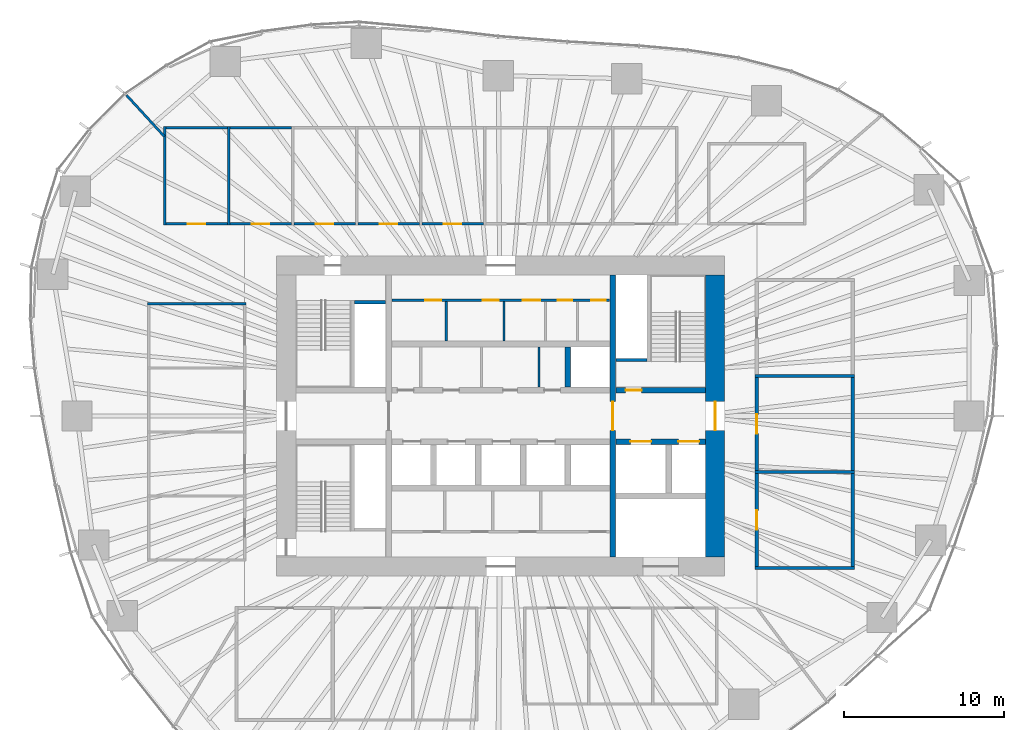
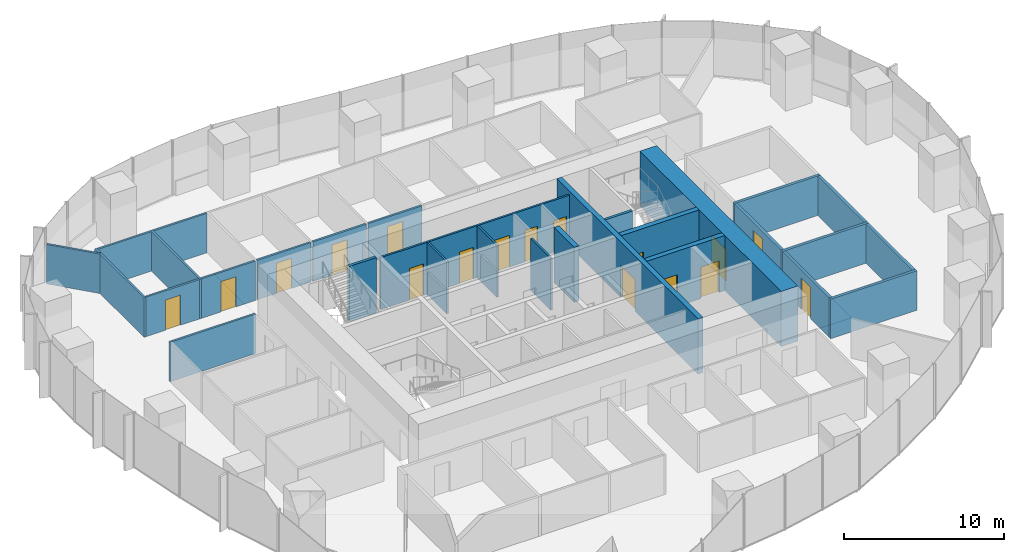
# One storey, part 10 of 20: 29 walls, 17 doors, 17 openings.
"""IFC4 building model written with IfcOpenShell, lengths in metres."""

from ifc_helpers import new_model, si_unit, direction, frame, frame_2d, origin, place, context, subcontext, project, spatial, rectangle, extrude, material, layer, layer_set, type_object, element, fill, save


model = new_model("IFC4")

# Units and contexts
model_context = context("Model", 3, precision=1e-05, world=origin(), true_north=direction((0.0, 1.0)))
body_context = subcontext(model_context, "Body", "Model", "MODEL_VIEW")
ifc_project = project(units=[si_unit("LENGTHUNIT", "METRE"), si_unit("AREAUNIT", "SQUARE_METRE"), si_unit("VOLUMEUNIT", "CUBIC_METRE"), si_unit("PLANEANGLEUNIT", "RADIAN"), si_unit("MASSUNIT", "GRAM", prefix="KILO")], contexts=[model_context])

# Site, building, storey
site_placement = place(None, origin())
site = spatial("IfcSite", under=ifc_project, at=site_placement, CompositionType="ELEMENT")
building_placement = place(site_placement, origin())
building = spatial("IfcBuilding", under=site, at=building_placement, Name="Ghaith Harvest Tower", CompositionType="ELEMENT")
storey_placement = place(building_placement, frame((0.0, 0.0, 109.199951171875)))
storey = spatial("IfcBuildingStorey", under=building, at=storey_placement, Name="L22", CompositionType="ELEMENT", Elevation=109.199951171875)

# Walls
ifc_material_1 = material(Name="Twin-stud gypsum board, acoustic", Category="gypsum")
ifc_layer_1 = layer(ifc_material_1, 0.199951171875)
ifc_layer_set_1 = layer_set([ifc_layer_1], Name="ACOUSTIC PARTITION 200")
wall_type_1 = type_object("IfcWallType", Name="ACOUSTIC PARTITION 200", PredefinedType="PARTITIONING", material=ifc_layer_set_1)
for number, where, z_axis, x_axis, name in (
    (1, (15.89990234375, -9.5, 0.0), (0.0, 0.0, 1.0), (1.0, 0.0, 0.0), "Partition L22 row E3 cross wall 1"),
    (2, (15.89990234375, -3.5, 0.0), (0.0, 0.0, 1.0), (1.0, 0.0, 0.0), "Partition L22 row E3 cross wall 2"),
    (3, (15.89990234375, 2.5, 0.0), (0.0, 0.0, 1.0), (1.0, 0.0, 0.0), "Partition L22 row E3 cross wall 3"),
):
    element("IfcWall", number, at=place(storey_placement, frame(where, z_axis=z_axis, x_axis=x_axis)), inside=storey, type_object=wall_type_1, Name=name, PredefinedType="PARTITIONING", context=body_context, shape_type="SweptSolid", body=[
        extrude(rectangle(XDim=6.2001953125, YDim=0.199951171875, at=frame_2d((3.10009765625, 0.0))), origin(), (0.0, 0.0, 1.0), 3.0),
    ])

# Wall, opening, door
wall_1_placement = place(storey_placement, frame((16.0, -9.39990234375, 0.0), z_axis=(0.0, 0.0, 1.0), x_axis=(0.0, 1.0, 0.0)))
wall_1 = element("IfcWall", 4, at=wall_1_placement, inside=storey, type_object=wall_type_1, Name="Partition L22-10", PredefinedType="PARTITIONING", context=body_context, shape_type="SweptSolid", body=[
    extrude(rectangle(XDim=5.7998046875, YDim=0.199951171875, at=frame_2d((2.89990234375, 0.0))), origin(), (0.0, 0.0, 1.0), 3.0),
])
opening_1_placement = place(wall_1_placement, frame((2.300048828125, 0.0, 0.0)))
opening_1 = element("IfcOpeningElement", 5, at=opening_1_placement, cuts=wall_1, Name="Opening 22-039", PredefinedType="OPENING", context=body_context, shape_type="SweptSolid", body=[
    extrude(rectangle(XDim=1.199951171875, YDim=2.39990234375, at=frame_2d((0.60009765625, 1.199951171875))), frame((0.0, 0.10986328125, 0.0), z_axis=(0.0, -1.0, 0.0), x_axis=(1.0, 0.0, 0.0)), (0.0, 0.0, 1.0), 0.219970703125),
])
ifc_material_2 = material(Name="Timber door", Category="wood")
door_type_1 = type_object("IfcDoorType", Name="D11 GLAZED 1200x2400", OperationType="SINGLE_SWING_LEFT", PredefinedType="DOOR", material=ifc_material_2)
door_1_placement = place(opening_1_placement, origin())
door_1 = element("IfcDoor", 6, at=door_1_placement, inside=storey, type_object=door_type_1, Name="Meeting room door", OperationType="SINGLE_SWING_LEFT", OverallHeight=2.39990234375, OverallWidth=1.199951171875, PredefinedType="DOOR", context=body_context, shape_type="SweptSolid", body=[
    extrude(rectangle(XDim=1.199951171875, YDim=2.39990234375, at=frame_2d((0.60009765625, 1.199951171875))), frame((0.0, 0.02490234375, 0.0), z_axis=(0.0, -1.0, 0.0), x_axis=(1.0, 0.0, 0.0)), (0.0, 0.0, 1.0), 0.050048828125),
])
fill(opening_1, door_1)

# Wall
wall_2_placement = place(storey_placement, frame((22.0, -9.39990234375, 0.0), z_axis=(0.0, 0.0, 1.0), x_axis=(0.0, 1.0, 0.0)))
element("IfcWall", 7, at=wall_2_placement, inside=storey, type_object=wall_type_1, Name="Partition L22-10", PredefinedType="PARTITIONING", context=body_context, shape_type="SweptSolid", body=[
    extrude(rectangle(XDim=5.7998046875, YDim=0.199951171875, at=frame_2d((2.89990234375, 0.0))), origin(), (0.0, 0.0, 1.0), 3.0),
])

# Wall, opening, door
wall_3_placement = place(storey_placement, frame((16.0, -3.39990234375, 0.0), z_axis=(0.0, 0.0, 1.0), x_axis=(0.0, 1.0, 0.0)))
wall_3 = element("IfcWall", 8, at=wall_3_placement, inside=storey, type_object=wall_type_1, Name="Partition L22-11", PredefinedType="PARTITIONING", context=body_context, shape_type="SweptSolid", body=[
    extrude(rectangle(XDim=5.7998046875, YDim=0.199951171875, at=frame_2d((2.89990234375, 0.0))), origin(), (0.0, 0.0, 1.0), 3.0),
])
opening_2_placement = place(wall_3_placement, frame((2.300048828125, 0.0, 0.0)))
opening_2 = element("IfcOpeningElement", 9, at=opening_2_placement, cuts=wall_3, Name="Opening 22-040", PredefinedType="OPENING", context=body_context, shape_type="SweptSolid", body=[
    extrude(rectangle(XDim=1.199951171875, YDim=2.39990234375, at=frame_2d((0.60009765625, 1.199951171875))), frame((0.0, 0.10986328125, 0.0), z_axis=(0.0, -1.0, 0.0), x_axis=(1.0, 0.0, 0.0)), (0.0, 0.0, 1.0), 0.219970703125),
])
door_2_placement = place(opening_2_placement, origin())
door_2 = element("IfcDoor", 10, at=door_2_placement, inside=storey, type_object=door_type_1, Name="Meeting room door", OperationType="SINGLE_SWING_LEFT", OverallHeight=2.39990234375, OverallWidth=1.199951171875, PredefinedType="DOOR", context=body_context, shape_type="SweptSolid", body=[
    extrude(rectangle(XDim=1.199951171875, YDim=2.39990234375, at=frame_2d((0.60009765625, 1.199951171875))), frame((0.0, 0.02490234375, 0.0), z_axis=(0.0, -1.0, 0.0), x_axis=(1.0, 0.0, 0.0)), (0.0, 0.0, 1.0), 0.050048828125),
])
fill(opening_2, door_2)

# Wall
wall_4_placement = place(storey_placement, frame((22.0, -3.39990234375, 0.0), z_axis=(0.0, 0.0, 1.0), x_axis=(0.0, 1.0, 0.0)))
element("IfcWall", 11, at=wall_4_placement, inside=storey, type_object=wall_type_1, Name="Partition L22-11", PredefinedType="PARTITIONING", context=body_context, shape_type="SweptSolid", body=[
    extrude(rectangle(XDim=5.7998046875, YDim=0.199951171875, at=frame_2d((2.89990234375, 0.0))), origin(), (0.0, 0.0, 1.0), 3.0),
])

# Wall, openings, doors
ifc_material_3 = material(Name="Concrete blockwork, fair-faced", Category="masonry")
ifc_layer_2 = layer(ifc_material_3, 0.139892578125)
ifc_layer_set_2 = layer_set([ifc_layer_2], Name="CORE PARTITION 140")
wall_type_2 = type_object("IfcWallType", Name="CORE PARTITION 140", PredefinedType="PARTITIONING", material=ifc_layer_set_2)
wall_5_placement = place(storey_placement, frame((-6.800048828125, 7.22998046875, 0.0), z_axis=(0.0, 0.0, 1.0), x_axis=(1.0, 0.0, 0.0)))
wall_5 = element("IfcWall", 12, at=wall_5_placement, inside=storey, type_object=wall_type_2, Name="Core partition L22", PredefinedType="PARTITIONING", context=body_context, shape_type="SweptSolid", body=[
    extrude(rectangle(XDim=13.60009765625, YDim=0.139892578125, at=frame_2d((6.800048828125, 0.0))), origin(), (0.0, 0.0, 1.0), 3.949951171875),
])
opening_3_placement = place(wall_5_placement, frame((2.080078125, 0.0, 0.0)))
opening_3 = element("IfcOpeningElement", 13, at=opening_3_placement, cuts=wall_5, Name="Opening 22-008", PredefinedType="OPENING", context=body_context, shape_type="SweptSolid", body=[
    extrude(rectangle(XDim=1.0, YDim=2.39990234375, at=frame_2d((0.5, 1.199951171875))), frame((0.0, 0.080078125, 0.0), z_axis=(0.0, -1.0, 0.0), x_axis=(1.0, 0.0, 0.0)), (0.0, 0.0, 1.0), 0.159912109375),
])
opening_4_placement = place(wall_5_placement, frame((5.679931640625, 0.0, 0.0)))
opening_4 = element("IfcOpeningElement", 14, at=opening_4_placement, cuts=wall_5, Name="Opening 22-009", PredefinedType="OPENING", context=body_context, shape_type="SweptSolid", body=[
    extrude(rectangle(XDim=1.0, YDim=2.39990234375, at=frame_2d((0.5, 1.199951171875))), frame((0.0, 0.080078125, 0.0), z_axis=(0.0, -1.0, 0.0), x_axis=(1.0, 0.0, 0.0)), (0.0, 0.0, 1.0), 0.159912109375),
])
opening_5_placement = place(wall_5_placement, frame((8.179931640625, 0.0, 0.0)))
opening_5 = element("IfcOpeningElement", 15, at=opening_5_placement, cuts=wall_5, Name="Opening 22-010", PredefinedType="OPENING", context=body_context, shape_type="SweptSolid", body=[
    extrude(rectangle(XDim=1.10009765625, YDim=2.39990234375, at=frame_2d((0.550048828125, 1.199951171875))), frame((0.0, 0.080078125, 0.0), z_axis=(0.0, -1.0, 0.0), x_axis=(1.0, 0.0, 0.0)), (0.0, 0.0, 1.0), 0.159912109375),
])
opening_6_placement = place(wall_5_placement, frame((10.3798828125, 0.0, 0.0)))
opening_6 = element("IfcOpeningElement", 16, at=opening_6_placement, cuts=wall_5, Name="Opening 22-011", PredefinedType="OPENING", context=body_context, shape_type="SweptSolid", body=[
    extrude(rectangle(XDim=0.89990234375, YDim=2.39990234375, at=frame_2d((0.449951171875, 1.199951171875))), frame((0.0, 0.080078125, 0.0), z_axis=(0.0, -1.0, 0.0), x_axis=(1.0, 0.0, 0.0)), (0.0, 0.0, 1.0), 0.159912109375),
])
opening_7_placement = place(wall_5_placement, frame((12.449951171875, 0.0, 0.0)))
opening_7 = element("IfcOpeningElement", 17, at=opening_7_placement, cuts=wall_5, Name="Opening 22-012", PredefinedType="OPENING", context=body_context, shape_type="SweptSolid", body=[
    extrude(rectangle(XDim=0.89990234375, YDim=2.39990234375, at=frame_2d((0.449951171875, 1.199951171875))), frame((0.0, 0.080078125, 0.0), z_axis=(0.0, -1.0, 0.0), x_axis=(1.0, 0.0, 0.0)), (0.0, 0.0, 1.0), 0.159912109375),
])
ifc_material_4 = material(Name="Steel fire door", Category="steel")
door_type_2 = type_object("IfcDoorType", Name="D3 FD90 1000x2400", OperationType="SINGLE_SWING_LEFT", PredefinedType="DOOR", material=ifc_material_4)
door_3_placement = place(opening_3_placement, origin())
door_3 = element("IfcDoor", 18, at=door_3_placement, inside=storey, type_object=door_type_2, Name="Male WC door", OperationType="SINGLE_SWING_LEFT", OverallHeight=2.39990234375, OverallWidth=1.0, PredefinedType="DOOR", context=body_context, shape_type="SweptSolid", body=[
    extrude(rectangle(XDim=1.0, YDim=2.39990234375, at=frame_2d((0.5, 1.199951171875))), frame((0.0, 0.02490234375, 0.0), z_axis=(0.0, -1.0, 0.0), x_axis=(1.0, 0.0, 0.0)), (0.0, 0.0, 1.0), 0.050048828125),
])
fill(opening_3, door_3)
door_4_placement = place(opening_4_placement, origin())
door_4 = element("IfcDoor", 19, at=door_4_placement, inside=storey, type_object=door_type_2, Name="Female WC door", OperationType="SINGLE_SWING_LEFT", OverallHeight=2.39990234375, OverallWidth=1.0, PredefinedType="DOOR", context=body_context, shape_type="SweptSolid", body=[
    extrude(rectangle(XDim=1.0, YDim=2.39990234375, at=frame_2d((0.5, 1.199951171875))), frame((0.0, 0.02490234375, 0.0), z_axis=(0.0, -1.0, 0.0), x_axis=(1.0, 0.0, 0.0)), (0.0, 0.0, 1.0), 0.050048828125),
])
fill(opening_4, door_4)
ifc_material_5 = material(Name="Steel fire door", Category="steel")
door_type_3 = type_object("IfcDoorType", Name="D5 FD90 900x2400", OperationType="SINGLE_SWING_LEFT", PredefinedType="DOOR", material=ifc_material_5)
door_5_placement = place(opening_6_placement, origin())
door_5 = element("IfcDoor", 20, at=door_5_placement, inside=storey, type_object=door_type_3, Name="Store door", OperationType="SINGLE_SWING_RIGHT", OverallHeight=2.39990234375, OverallWidth=0.89990234375, PredefinedType="DOOR", context=body_context, shape_type="SweptSolid", body=[
    extrude(rectangle(XDim=0.89990234375, YDim=2.39990234375, at=frame_2d((0.449951171875, 1.199951171875))), frame((0.0, 0.02490234375, 0.0), z_axis=(0.0, -1.0, 0.0), x_axis=(1.0, 0.0, 0.0)), (0.0, 0.0, 1.0), 0.050048828125),
])
fill(opening_6, door_5)
door_6_placement = place(opening_7_placement, origin())
door_6 = element("IfcDoor", 21, at=door_6_placement, inside=storey, type_object=door_type_3, Name="Cleaner's store door", OperationType="SINGLE_SWING_RIGHT", OverallHeight=2.39990234375, OverallWidth=0.89990234375, PredefinedType="DOOR", context=body_context, shape_type="SweptSolid", body=[
    extrude(rectangle(XDim=0.89990234375, YDim=2.39990234375, at=frame_2d((0.449951171875, 1.199951171875))), frame((0.0, 0.02490234375, 0.0), z_axis=(0.0, -1.0, 0.0), x_axis=(1.0, 0.0, 0.0)), (0.0, 0.0, 1.0), 0.050048828125),
])
fill(opening_7, door_6)
ifc_material_6 = material(Name="Steel fire door", Category="steel")
door_type_4 = type_object("IfcDoorType", Name="D9 FD90 1100x2400", OperationType="SINGLE_SWING_LEFT", PredefinedType="DOOR", material=ifc_material_6)
door_7_placement = place(opening_5_placement, origin())
door_7 = element("IfcDoor", 22, at=door_7_placement, inside=storey, type_object=door_type_4, Name="Accessible WC door", OperationType="SINGLE_SWING_RIGHT", OverallHeight=2.39990234375, OverallWidth=1.10009765625, PredefinedType="DOOR", context=body_context, shape_type="SweptSolid", body=[
    extrude(rectangle(XDim=1.10009765625, YDim=2.39990234375, at=frame_2d((0.550048828125, 1.199951171875))), frame((0.0, 0.02490234375, 0.0), z_axis=(0.0, -1.0, 0.0), x_axis=(1.0, 0.0, 0.0)), (0.0, 0.0, 1.0), 0.050048828125),
])
fill(opening_5, door_7)

# Walls
for number, where, z_axis, x_axis, name in (
    (23, (-3.39990234375, 4.699951171875, 0.0), (0.0, 0.0, 1.0), (0.0, 1.0, 0.0), "Core partition L22"),
    (24, (0.199951171875, 4.699951171875, 0.0), (0.0, 0.0, 1.0), (0.0, 1.0, 0.0), "Core partition L22"),
):
    element("IfcWall", number, at=place(storey_placement, frame(where, z_axis=z_axis, x_axis=x_axis)), inside=storey, type_object=wall_type_2, Name=name, PredefinedType="PARTITIONING", context=body_context, shape_type="SweptSolid", body=[
        extrude(rectangle(XDim=2.4599609375, YDim=0.139892578125, at=frame_2d((1.22998046875, 0.0))), origin(), (0.0, 0.0, 1.0), 3.949951171875),
    ])
wall_6_placement = place(storey_placement, frame((2.39990234375, 1.800048828125, 0.0), z_axis=(0.0, 0.0, 1.0), x_axis=(0.0, 1.0, 0.0)))
element("IfcWall", 25, at=wall_6_placement, inside=storey, type_object=wall_type_2, Name="Core partition L22", PredefinedType="PARTITIONING", context=body_context, shape_type="SweptSolid", body=[
    extrude(rectangle(XDim=2.5, YDim=0.139892578125, at=frame_2d((1.25, 0.0))), origin(), (0.0, 0.0, 1.0), 3.949951171875),
])

# Wall, opening, door
ifc_material_7 = material(Name="Concrete C60/75", Category="concrete")
ifc_layer_3 = layer(ifc_material_7, 1.199951171875)
ifc_layer_set_3 = layer_set([ifc_layer_3], Name="CORE WALL CW1200 C60")
wall_type_3 = type_object("IfcWallType", Name="CORE WALL CW1200 C60", PredefinedType="SHEAR", material=ifc_layer_set_3)
wall_7_placement = place(storey_placement, frame((13.39990234375, -8.800048828125, 0.0), z_axis=(0.0, 0.0, 1.0), x_axis=(0.0, 1.0, 0.0)))
wall_7 = element("IfcWall", 26, at=wall_7_placement, inside=storey, type_object=wall_type_3, Name="Core wall E L22", PredefinedType="SHEAR", context=body_context, shape_type="SweptSolid", body=[
    extrude(rectangle(XDim=17.60009765625, YDim=1.199951171875, at=frame_2d((8.800048828125, 0.0))), origin(), (0.0, 0.0, 1.0), 4.199951171875),
])
opening_8_placement = place(wall_7_placement, frame((7.89990234375, 0.0, 0.0)))
opening_8 = element("IfcOpeningElement", 27, at=opening_8_placement, cuts=wall_7, Name="Opening 22-002", PredefinedType="OPENING", context=body_context, shape_type="SweptSolid", body=[
    extrude(rectangle(XDim=1.800048828125, YDim=2.39990234375, at=frame_2d((0.89990234375, 1.199951171875))), frame((0.0, 0.60986328125, 0.0), z_axis=(0.0, -1.0, 0.0), x_axis=(1.0, 0.0, 0.0)), (0.0, 0.0, 1.0), 1.219970703125),
])
ifc_material_8 = material(Name="Steel fire door", Category="steel")
door_type_5 = type_object("IfcDoorType", Name="D4 FD90 PAIR 1800x2400", OperationType="DOUBLE_DOOR_SINGLE_SWING", PredefinedType="DOOR", material=ifc_material_8)
door_8_placement = place(opening_8_placement, origin())
door_8 = element("IfcDoor", 28, at=door_8_placement, inside=storey, type_object=door_type_5, Name="Fire-fighting lobby doors", OperationType="DOUBLE_DOOR_SINGLE_SWING", OverallHeight=2.39990234375, OverallWidth=1.800048828125, PredefinedType="DOOR", context=body_context, shape_type="SweptSolid", body=[
    extrude(rectangle(XDim=1.800048828125, YDim=2.39990234375, at=frame_2d((0.89990234375, 1.199951171875))), frame((0.0, 0.02490234375, 0.0), z_axis=(0.0, -1.0, 0.0), x_axis=(1.0, 0.0, 0.0)), (0.0, 0.0, 1.0), 0.050048828125),
])
fill(opening_8, door_8)

# Walls
ifc_material_9 = material(Name="Gypsum board on steel studs", Category="steel")
ifc_layer_4 = layer(ifc_material_9, 0.14990234375)
ifc_layer_set_4 = layer_set([ifc_layer_4], Name="PARTITION 150")
wall_type_4 = type_object("IfcWallType", Name="PARTITION 150", PredefinedType="PARTITIONING", material=ifc_layer_set_4)
for number, where, z_axis, x_axis, name in (
    (29, (-21.0, 11.925048828125, 0.0), (0.0, 0.0, 1.0), (0.0, 1.0, 0.0), "Partition L22 row N1 cross wall 1"),
    (30, (-17.0, 11.925048828125, 0.0), (0.0, 0.0, 1.0), (0.0, 1.0, 0.0), "Partition L22 row N1 cross wall 2"),
):
    element("IfcWall", number, at=place(storey_placement, frame(where, z_axis=z_axis, x_axis=x_axis)), inside=storey, type_object=wall_type_4, Name=name, PredefinedType="PARTITIONING", context=body_context, shape_type="SweptSolid", body=[
        extrude(rectangle(XDim=6.14990234375, YDim=0.14990234375, at=frame_2d((3.074951171875, 0.0))), origin(), (0.0, 0.0, 1.0), 3.0),
    ])

# Wall, opening, door
wall_8_placement = place(storey_placement, frame((-20.925048828125, 12.0, 0.0), z_axis=(0.0, 0.0, 1.0), x_axis=(1.0, 0.0, 0.0)))
wall_8 = element("IfcWall", 31, at=wall_8_placement, inside=storey, type_object=wall_type_4, Name="Partition L22-01", PredefinedType="PARTITIONING", context=body_context, shape_type="SweptSolid", body=[
    extrude(rectangle(XDim=3.85009765625, YDim=0.14990234375, at=frame_2d((1.925048828125, 0.0))), origin(), (0.0, 0.0, 1.0), 3.0),
])
opening_9_placement = place(wall_8_placement, frame((1.375, 0.0, 0.0)))
opening_9 = element("IfcOpeningElement", 32, at=opening_9_placement, cuts=wall_8, Name="Opening 22-030", PredefinedType="OPENING", context=body_context, shape_type="SweptSolid", body=[
    extrude(rectangle(XDim=1.10009765625, YDim=2.300048828125, at=frame_2d((0.550048828125, 1.14990234375))), frame((0.0, 0.0849609375, 0.0), z_axis=(0.0, -1.0, 0.0), x_axis=(1.0, 0.0, 0.0)), (0.0, 0.0, 1.0), 0.169921875),
])
ifc_material_10 = material(Name="Timber-framed glazed door", Category="wood")
door_type_6 = type_object("IfcDoorType", Name="D12 GLAZED OFFICE 1100x2300", OperationType="SINGLE_SWING_LEFT", PredefinedType="DOOR", material=ifc_material_10)
door_9_placement = place(opening_9_placement, origin())
door_9 = element("IfcDoor", 33, at=door_9_placement, inside=storey, type_object=door_type_6, Name="Office door", OperationType="SINGLE_SWING_LEFT", OverallHeight=2.300048828125, OverallWidth=1.10009765625, PredefinedType="DOOR", context=body_context, shape_type="SweptSolid", body=[
    extrude(rectangle(XDim=1.10009765625, YDim=2.300048828125, at=frame_2d((0.550048828125, 1.14990234375))), frame((0.0, 0.02490234375, 0.0), z_axis=(0.0, -1.0, 0.0), x_axis=(1.0, 0.0, 0.0)), (0.0, 0.0, 1.0), 0.050048828125),
])
fill(opening_9, door_9)

# Wall
wall_9_placement = place(storey_placement, frame((-20.925048828125, 18.0, 0.0), z_axis=(0.0, 0.0, 1.0), x_axis=(1.0, 0.0, 0.0)))
element("IfcWall", 34, at=wall_9_placement, inside=storey, type_object=wall_type_4, Name="Partition L22-01", PredefinedType="PARTITIONING", context=body_context, shape_type="SweptSolid", body=[
    extrude(rectangle(XDim=3.85009765625, YDim=0.14990234375, at=frame_2d((1.925048828125, 0.0))), origin(), (0.0, 0.0, 1.0), 3.0),
])

# Wall, opening, door
wall_10_placement = place(storey_placement, frame((-16.925048828125, 12.0, 0.0), z_axis=(0.0, 0.0, 1.0), x_axis=(1.0, 0.0, 0.0)))
wall_10 = element("IfcWall", 35, at=wall_10_placement, inside=storey, type_object=wall_type_4, Name="Partition L22-02", PredefinedType="PARTITIONING", context=body_context, shape_type="SweptSolid", body=[
    extrude(rectangle(XDim=3.85009765625, YDim=0.14990234375, at=frame_2d((1.925048828125, 0.0))), origin(), (0.0, 0.0, 1.0), 3.0),
])
opening_10_placement = place(wall_10_placement, frame((1.375, 0.0, 0.0)))
opening_10 = element("IfcOpeningElement", 36, at=opening_10_placement, cuts=wall_10, Name="Opening 22-031", PredefinedType="OPENING", context=body_context, shape_type="SweptSolid", body=[
    extrude(rectangle(XDim=1.10009765625, YDim=2.300048828125, at=frame_2d((0.550048828125, 1.14990234375))), frame((0.0, 0.0849609375, 0.0), z_axis=(0.0, -1.0, 0.0), x_axis=(1.0, 0.0, 0.0)), (0.0, 0.0, 1.0), 0.169921875),
])
door_10_placement = place(opening_10_placement, origin())
door_10 = element("IfcDoor", 37, at=door_10_placement, inside=storey, type_object=door_type_6, Name="Office door", OperationType="SINGLE_SWING_LEFT", OverallHeight=2.300048828125, OverallWidth=1.10009765625, PredefinedType="DOOR", context=body_context, shape_type="SweptSolid", body=[
    extrude(rectangle(XDim=1.10009765625, YDim=2.300048828125, at=frame_2d((0.550048828125, 1.14990234375))), frame((0.0, 0.02490234375, 0.0), z_axis=(0.0, -1.0, 0.0), x_axis=(1.0, 0.0, 0.0)), (0.0, 0.0, 1.0), 0.050048828125),
])
fill(opening_10, door_10)

# Wall
wall_11_placement = place(storey_placement, frame((-16.925048828125, 18.0, 0.0), z_axis=(0.0, 0.0, 1.0), x_axis=(1.0, 0.0, 0.0)))
element("IfcWall", 38, at=wall_11_placement, inside=storey, type_object=wall_type_4, Name="Partition L22-02", PredefinedType="PARTITIONING", context=body_context, shape_type="SweptSolid", body=[
    extrude(rectangle(XDim=3.85009765625, YDim=0.14990234375, at=frame_2d((1.925048828125, 0.0))), origin(), (0.0, 0.0, 1.0), 3.0),
])

# Wall, opening, door
wall_12_placement = place(storey_placement, frame((-12.925048828125, 12.0, 0.0), z_axis=(0.0, 0.0, 1.0), x_axis=(1.0, 0.0, 0.0)))
wall_12 = element("IfcWall", 39, at=wall_12_placement, inside=storey, type_object=wall_type_4, Name="Partition L22-03", PredefinedType="PARTITIONING", context=body_context, shape_type="SweptSolid", body=[
    extrude(rectangle(XDim=3.85009765625, YDim=0.14990234375, at=frame_2d((1.925048828125, 0.0))), origin(), (0.0, 0.0, 1.0), 3.0),
])
opening_11_placement = place(wall_12_placement, frame((1.375, 0.0, 0.0)))
opening_11 = element("IfcOpeningElement", 40, at=opening_11_placement, cuts=wall_12, Name="Opening 22-032", PredefinedType="OPENING", context=body_context, shape_type="SweptSolid", body=[
    extrude(rectangle(XDim=1.10009765625, YDim=2.300048828125, at=frame_2d((0.550048828125, 1.14990234375))), frame((0.0, 0.0849609375, 0.0), z_axis=(0.0, -1.0, 0.0), x_axis=(1.0, 0.0, 0.0)), (0.0, 0.0, 1.0), 0.169921875),
])
door_11_placement = place(opening_11_placement, origin())
door_11 = element("IfcDoor", 41, at=door_11_placement, inside=storey, type_object=door_type_6, Name="Office door", OperationType="SINGLE_SWING_LEFT", OverallHeight=2.300048828125, OverallWidth=1.10009765625, PredefinedType="DOOR", context=body_context, shape_type="SweptSolid", body=[
    extrude(rectangle(XDim=1.10009765625, YDim=2.300048828125, at=frame_2d((0.550048828125, 1.14990234375))), frame((0.0, 0.02490234375, 0.0), z_axis=(0.0, -1.0, 0.0), x_axis=(1.0, 0.0, 0.0)), (0.0, 0.0, 1.0), 0.050048828125),
])
fill(opening_11, door_11)

wall_13_placement = place(storey_placement, frame((-8.925048828125, 12.0, 0.0), z_axis=(0.0, 0.0, 1.0), x_axis=(1.0, 0.0, 0.0)))
wall_13 = element("IfcWall", 42, at=wall_13_placement, inside=storey, type_object=wall_type_4, Name="Partition L22-04", PredefinedType="PARTITIONING", context=body_context, shape_type="SweptSolid", body=[
    extrude(rectangle(XDim=3.85009765625, YDim=0.14990234375, at=frame_2d((1.925048828125, 0.0))), origin(), (0.0, 0.0, 1.0), 3.0),
])
opening_12_placement = place(wall_13_placement, frame((1.375, 0.0, 0.0)))
opening_12 = element("IfcOpeningElement", 43, at=opening_12_placement, cuts=wall_13, Name="Opening 22-033", PredefinedType="OPENING", context=body_context, shape_type="SweptSolid", body=[
    extrude(rectangle(XDim=1.10009765625, YDim=2.300048828125, at=frame_2d((0.550048828125, 1.14990234375))), frame((0.0, 0.0849609375, 0.0), z_axis=(0.0, -1.0, 0.0), x_axis=(1.0, 0.0, 0.0)), (0.0, 0.0, 1.0), 0.169921875),
])
door_12_placement = place(opening_12_placement, origin())
door_12 = element("IfcDoor", 44, at=door_12_placement, inside=storey, type_object=door_type_6, Name="Office door", OperationType="SINGLE_SWING_LEFT", OverallHeight=2.300048828125, OverallWidth=1.10009765625, PredefinedType="DOOR", context=body_context, shape_type="SweptSolid", body=[
    extrude(rectangle(XDim=1.10009765625, YDim=2.300048828125, at=frame_2d((0.550048828125, 1.14990234375))), frame((0.0, 0.02490234375, 0.0), z_axis=(0.0, -1.0, 0.0), x_axis=(1.0, 0.0, 0.0)), (0.0, 0.0, 1.0), 0.050048828125),
])
fill(opening_12, door_12)

wall_14_placement = place(storey_placement, frame((-4.925048828125, 12.0, 0.0), z_axis=(0.0, 0.0, 1.0), x_axis=(1.0, 0.0, 0.0)))
wall_14 = element("IfcWall", 45, at=wall_14_placement, inside=storey, type_object=wall_type_4, Name="Partition L22-05", PredefinedType="PARTITIONING", context=body_context, shape_type="SweptSolid", body=[
    extrude(rectangle(XDim=3.85009765625, YDim=0.14990234375, at=frame_2d((1.925048828125, 0.0))), origin(), (0.0, 0.0, 1.0), 3.0),
])
opening_13_placement = place(wall_14_placement, frame((1.375, 0.0, 0.0)))
opening_13 = element("IfcOpeningElement", 46, at=opening_13_placement, cuts=wall_14, Name="Opening 22-034", PredefinedType="OPENING", context=body_context, shape_type="SweptSolid", body=[
    extrude(rectangle(XDim=1.10009765625, YDim=2.300048828125, at=frame_2d((0.550048828125, 1.14990234375))), frame((0.0, 0.0849609375, 0.0), z_axis=(0.0, -1.0, 0.0), x_axis=(1.0, 0.0, 0.0)), (0.0, 0.0, 1.0), 0.169921875),
])
door_13_placement = place(opening_13_placement, origin())
door_13 = element("IfcDoor", 47, at=door_13_placement, inside=storey, type_object=door_type_6, Name="Office door", OperationType="SINGLE_SWING_LEFT", OverallHeight=2.300048828125, OverallWidth=1.10009765625, PredefinedType="DOOR", context=body_context, shape_type="SweptSolid", body=[
    extrude(rectangle(XDim=1.10009765625, YDim=2.300048828125, at=frame_2d((0.550048828125, 1.14990234375))), frame((0.0, 0.02490234375, 0.0), z_axis=(0.0, -1.0, 0.0), x_axis=(1.0, 0.0, 0.0)), (0.0, 0.0, 1.0), 0.050048828125),
])
fill(opening_13, door_13)

# Walls
wall_15_placement = place(storey_placement, frame((-15.925048828125, 7.0, 0.0), z_axis=(0.0, 0.0, 1.0), x_axis=(-1.0, 0.0, 0.0)))
element("IfcWall", 48, at=wall_15_placement, inside=storey, type_object=wall_type_4, Name="Partition L22 row W6 cross wall 5", PredefinedType="PARTITIONING", context=body_context, shape_type="SweptSolid", body=[
    extrude(rectangle(XDim=6.14990234375, YDim=0.14990234375, at=frame_2d((3.074951171875, 0.0))), origin(), (0.0, 0.0, 1.0), 3.0),
])
wall_16_placement = place(storey_placement, frame((-21.02001953125, 17.4697265625, 0.0), z_axis=(0.0, 0.0, 1.0), x_axis=(-0.67615762792, 0.736756989927, 0.0)))
element("IfcWall", 49, at=wall_16_placement, inside=storey, type_object=wall_type_4, Name="Partition L22 zone division", PredefinedType="PARTITIONING", context=body_context, shape_type="SweptSolid", body=[
    extrude(rectangle(XDim=3.4970703125, YDim=0.14990234375, at=frame_2d((1.74853515625, 0.0))), origin(), (0.0, 0.0, 1.0), 3.0),
])

# Wall, opening, door
ifc_material_11 = material(Name="Concrete C60/75", Category="concrete")
ifc_layer_5 = layer(ifc_material_11, 0.35009765625)
ifc_layer_set_5 = layer_set([ifc_layer_5], Name="SHAFT WALL 350")
wall_type_5 = type_object("IfcWallType", Name="SHAFT WALL 350", PredefinedType="SHEAR", material=ifc_layer_set_5)
wall_17_placement = place(storey_placement, frame((7.0, -8.800048828125, 0.0), z_axis=(0.0, 0.0, 1.0), x_axis=(0.0, 1.0, 0.0)))
wall_17 = element("IfcWall", 50, at=wall_17_placement, inside=storey, type_object=wall_type_5, Name="Shaft wall W7E L22", PredefinedType="SHEAR", context=body_context, shape_type="SweptSolid", body=[
    extrude(rectangle(XDim=17.60009765625, YDim=0.35009765625, at=frame_2d((8.800048828125, 0.0))), origin(), (0.0, 0.0, 1.0), 4.199951171875),
])
opening_14_placement = place(wall_17_placement, frame((7.89990234375, 0.0, 0.0)))
opening_14 = element("IfcOpeningElement", 51, at=opening_14_placement, cuts=wall_17, Name="Opening 22-004", PredefinedType="OPENING", context=body_context, shape_type="SweptSolid", body=[
    extrude(rectangle(XDim=1.800048828125, YDim=2.39990234375, at=frame_2d((0.89990234375, 1.199951171875))), frame((0.0, 0.18505859375, 0.0), z_axis=(0.0, -1.0, 0.0), x_axis=(1.0, 0.0, 0.0)), (0.0, 0.0, 1.0), 0.3701171875),
])
door_14_placement = place(opening_14_placement, origin())
door_14 = element("IfcDoor", 52, at=door_14_placement, inside=storey, type_object=door_type_5, Name="Lift lobby doors, east", OperationType="DOUBLE_DOOR_SINGLE_SWING", OverallHeight=2.39990234375, OverallWidth=1.800048828125, PredefinedType="DOOR", context=body_context, shape_type="SweptSolid", body=[
    extrude(rectangle(XDim=1.800048828125, YDim=2.39990234375, at=frame_2d((0.89990234375, 1.199951171875))), frame((0.0, 0.02490234375, 0.0), z_axis=(0.0, -1.0, 0.0), x_axis=(1.0, 0.0, 0.0)), (0.0, 0.0, 1.0), 0.050048828125),
])
fill(opening_14, door_14)

wall_18_placement = place(storey_placement, frame((7.199951171875, 1.60009765625, 0.0), z_axis=(0.0, 0.0, 1.0), x_axis=(1.0, 0.0, 0.0)))
wall_18 = element("IfcWall", 53, at=wall_18_placement, inside=storey, type_object=wall_type_5, Name="Shaft wall EN L22", PredefinedType="SHEAR", context=body_context, shape_type="SweptSolid", body=[
    extrude(rectangle(XDim=5.60009765625, YDim=0.35009765625, at=frame_2d((2.800048828125, 0.0))), origin(), (0.0, 0.0, 1.0), 4.199951171875),
])
opening_15_placement = place(wall_18_placement, frame((0.60009765625, 0.0, 0.0)))
opening_15 = element("IfcOpeningElement", 54, at=opening_15_placement, cuts=wall_18, Name="Opening 22-007", PredefinedType="OPENING", context=body_context, shape_type="SweptSolid", body=[
    extrude(rectangle(XDim=1.0, YDim=2.39990234375, at=frame_2d((0.5, 1.199951171875))), frame((0.0, 0.18505859375, 0.0), z_axis=(0.0, -1.0, 0.0), x_axis=(1.0, 0.0, 0.0)), (0.0, 0.0, 1.0), 0.3701171875),
])
door_15_placement = place(opening_15_placement, origin())
door_15 = element("IfcDoor", 55, at=door_15_placement, inside=storey, type_object=door_type_2, Name="Stair ST2 door", OperationType="SINGLE_SWING_LEFT", OverallHeight=2.39990234375, OverallWidth=1.0, PredefinedType="DOOR", context=body_context, shape_type="SweptSolid", body=[
    extrude(rectangle(XDim=1.0, YDim=2.39990234375, at=frame_2d((0.5, 1.199951171875))), frame((0.0, 0.02490234375, 0.0), z_axis=(0.0, -1.0, 0.0), x_axis=(1.0, 0.0, 0.0)), (0.0, 0.0, 1.0), 0.050048828125),
])
fill(opening_15, door_15)

# Wall, openings, doors
wall_19_placement = place(storey_placement, frame((7.199951171875, -1.60009765625, 0.0), z_axis=(0.0, 0.0, 1.0), x_axis=(1.0, 0.0, 0.0)))
wall_19 = element("IfcWall", 56, at=wall_19_placement, inside=storey, type_object=wall_type_5, Name="Shaft wall ES L22", PredefinedType="SHEAR", context=body_context, shape_type="SweptSolid", body=[
    extrude(rectangle(XDim=5.60009765625, YDim=0.35009765625, at=frame_2d((2.800048828125, 0.0))), origin(), (0.0, 0.0, 1.0), 4.199951171875),
])
opening_16_placement = place(wall_19_placement, frame((0.89990234375, 0.0, 0.0)))
opening_16 = element("IfcOpeningElement", 57, at=opening_16_placement, cuts=wall_19, Name="Opening 22-027", PredefinedType="OPENING", context=body_context, shape_type="SweptSolid", body=[
    extrude(rectangle(XDim=1.300048828125, YDim=2.39990234375, at=frame_2d((0.64990234375, 1.199951171875))), frame((0.0, 0.18505859375, 0.0), z_axis=(0.0, -1.0, 0.0), x_axis=(1.0, 0.0, 0.0)), (0.0, 0.0, 1.0), 0.3701171875),
])
opening_17_placement = place(wall_19_placement, frame((3.89990234375, 0.0, 0.0)))
opening_17 = element("IfcOpeningElement", 58, at=opening_17_placement, cuts=wall_19, Name="Opening 22-028", PredefinedType="OPENING", context=body_context, shape_type="SweptSolid", body=[
    extrude(rectangle(XDim=1.300048828125, YDim=2.39990234375, at=frame_2d((0.64990234375, 1.199951171875))), frame((0.0, 0.18505859375, 0.0), z_axis=(0.0, -1.0, 0.0), x_axis=(1.0, 0.0, 0.0)), (0.0, 0.0, 1.0), 0.3701171875),
])
ifc_material_12 = material(Name="Steel fire door", Category="steel")
door_type_7 = type_object("IfcDoorType", Name="LD2 LANDING 1300x2400", OperationType="DOUBLE_DOOR_SLIDING", PredefinedType="DOOR", material=ifc_material_12)
door_16_placement = place(opening_16_placement, origin())
door_16 = element("IfcDoor", 59, at=door_16_placement, inside=storey, type_object=door_type_7, Name="Landing door, fire service lift FL1", OperationType="DOUBLE_DOOR_SLIDING", OverallHeight=2.39990234375, OverallWidth=1.300048828125, PredefinedType="DOOR", context=body_context, shape_type="SweptSolid", body=[
    extrude(rectangle(XDim=1.300048828125, YDim=2.39990234375, at=frame_2d((0.64990234375, 1.199951171875))), frame((0.0, 0.02490234375, 0.0), z_axis=(0.0, -1.0, 0.0), x_axis=(1.0, 0.0, 0.0)), (0.0, 0.0, 1.0), 0.050048828125),
])
fill(opening_16, door_16)
door_17_placement = place(opening_17_placement, origin())
door_17 = element("IfcDoor", 60, at=door_17_placement, inside=storey, type_object=door_type_7, Name="Landing door, fire service lift FL2", OperationType="DOUBLE_DOOR_SLIDING", OverallHeight=2.39990234375, OverallWidth=1.300048828125, PredefinedType="DOOR", context=body_context, shape_type="SweptSolid", body=[
    extrude(rectangle(XDim=1.300048828125, YDim=2.39990234375, at=frame_2d((0.64990234375, 1.199951171875))), frame((0.0, 0.02490234375, 0.0), z_axis=(0.0, -1.0, 0.0), x_axis=(1.0, 0.0, 0.0)), (0.0, 0.0, 1.0), 0.050048828125),
])
fill(opening_17, door_17)

# Walls
wall_20_placement = place(storey_placement, frame((4.199951171875, 1.800048828125, 0.0), z_axis=(0.0, 0.0, 1.0), x_axis=(0.0, 1.0, 0.0)))
element("IfcWall", 61, at=wall_20_placement, inside=storey, type_object=wall_type_5, Name="Shaft wall DN4 L22", PredefinedType="SHEAR", context=body_context, shape_type="SweptSolid", body=[
    extrude(rectangle(XDim=2.5, YDim=0.35009765625, at=frame_2d((1.25, 0.0))), origin(), (0.0, 0.0, 1.0), 4.199951171875),
])
ifc_material_13 = material(Name="Concrete C40/50", Category="concrete")
ifc_layer_6 = layer(ifc_material_13, 0.199951171875)
ifc_layer_set_6 = layer_set([ifc_layer_6], Name="STAIR SPINE WALL RC200")
wall_type_6 = type_object("IfcWallType", Name="STAIR SPINE WALL RC200", PredefinedType="SOLIDWALL", material=ifc_layer_set_6)
for number, where, z_axis, x_axis, name in (
    (62, (-9.14990234375, 7.10009765625, 0.0), (0.0, 0.0, 1.0), (1.0, 0.0, 0.0), "Stair ST1 spine wall return L22"),
    (63, (9.14990234375, 3.5, 0.0), (0.0, 0.0, 1.0), (-1.0, 0.0, 0.0), "Stair ST2 spine wall return L22"),
):
    element("IfcWall", number, at=place(storey_placement, frame(where, z_axis=z_axis, x_axis=x_axis)), inside=storey, type_object=wall_type_6, Name=name, PredefinedType="SOLIDWALL", context=body_context, shape_type="SweptSolid", body=[
        extrude(rectangle(XDim=1.949951171875, YDim=0.199951171875, at=frame_2d((0.97509765625, 0.0))), origin(), (0.0, 0.0, 1.0), 4.199951171875),
    ])

save(model, "model.ifc")
